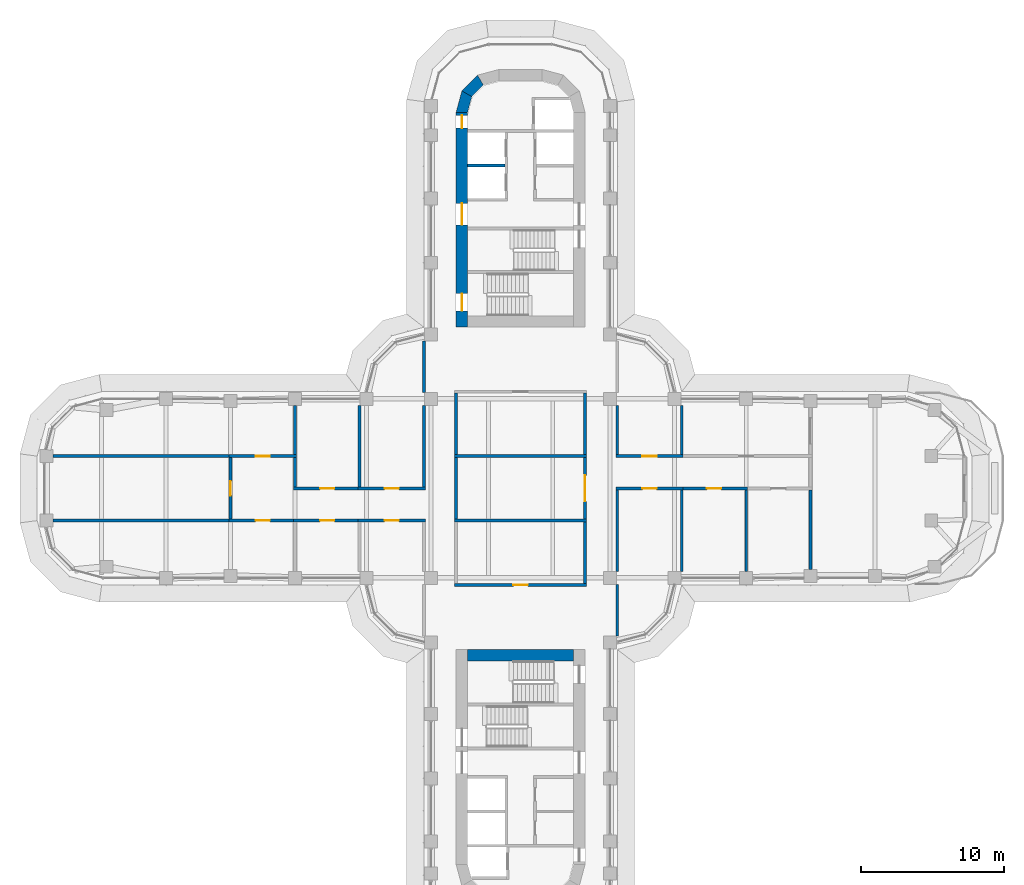
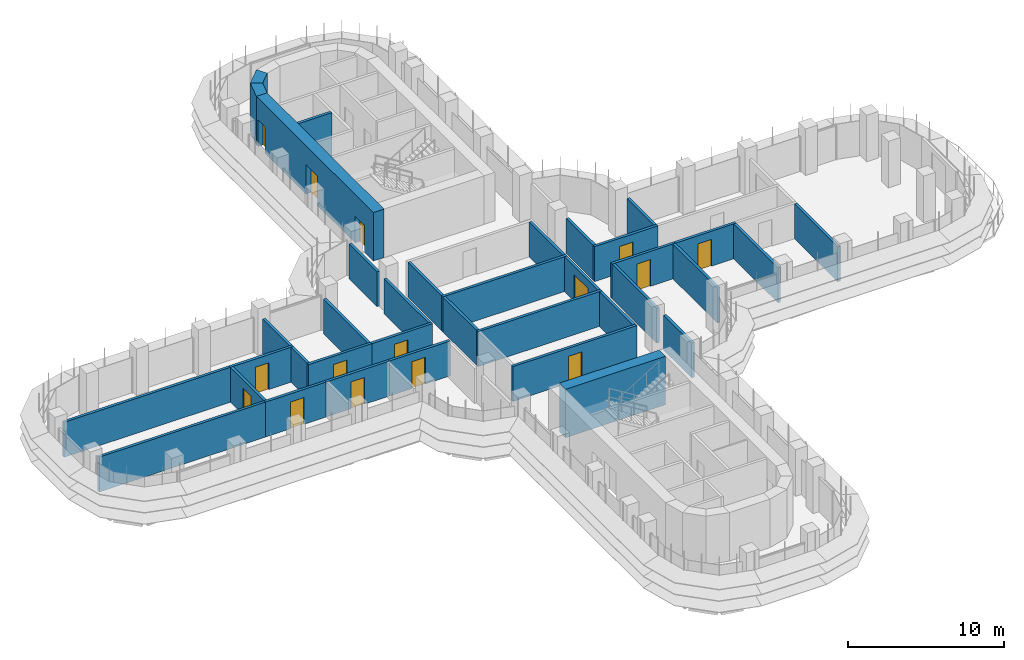
# One storey, part 16 of 22: 37 walls, 15 doors, 15 openings.
"""IFC4 building model written with IfcOpenShell, lengths in metres."""

from ifc_helpers import new_model, si_unit, direction, frame, frame_2d, origin, place, context, subcontext, project, spatial, polyline, rectangle, outline, extrude, material, layer, layer_set, type_object, element, fill, save


model = new_model("IFC4")

# Units and contexts
model_context = context("Model", 3, precision=1e-05, world=origin(), true_north=direction((0.0, 1.0)))
body_context = subcontext(model_context, "Body", "Model", "MODEL_VIEW")
ifc_project = project(units=[si_unit("LENGTHUNIT", "METRE"), si_unit("AREAUNIT", "SQUARE_METRE"), si_unit("VOLUMEUNIT", "CUBIC_METRE"), si_unit("PLANEANGLEUNIT", "RADIAN"), si_unit("MASSUNIT", "GRAM", prefix="KILO")], contexts=[model_context])

# Site, building, storey
site_placement = place(None, origin())
site = spatial("IfcSite", under=ifc_project, at=site_placement, CompositionType="ELEMENT")
building_placement = place(site_placement, origin())
building = spatial("IfcBuilding", under=site, at=building_placement, Name="Zarbagh Exchange Tower", CompositionType="ELEMENT")
storey_placement = place(building_placement, frame((0.0, 0.0, 124.60009765625)))
storey = spatial("IfcBuildingStorey", under=building, at=storey_placement, Name="L29", CompositionType="ELEMENT", Elevation=124.60009765625)

# Walls
ifc_material_1 = material(Name="Fire-rated plasterboard partition")
ifc_layer_1 = layer(ifc_material_1, 0.199951171875)
ifc_layer_set_1 = layer_set([ifc_layer_1], Name="RATED PARTITION 200")
wall_type_1 = type_object("IfcWallType", Name="RATED PARTITION 200", PredefinedType="PARTITIONING", material=ifc_layer_set_1)
for number, where, z_axis, x_axis, name in (
    (1, (-4.5, 2.35009765625, 0.0), (0.0, 0.0, 1.0), (0.0, 1.0, 0.0), "Partition W-1101"),
    (2, (-4.5, -2.14990234375, 0.0), (0.0, 0.0, 1.0), (0.0, 1.0, 0.0), "Partition W-1102"),
):
    element("IfcWall", number, at=place(storey_placement, frame(where, z_axis=z_axis, x_axis=x_axis)), inside=storey, type_object=wall_type_1, Name=name, PredefinedType="PARTITIONING", context=body_context, shape_type="SweptSolid", body=[
        extrude(rectangle(XDim=4.2998046875, YDim=0.199951171875, at=frame_2d((2.14990234375, 0.0))), origin(), (0.0, 0.0, 1.0), 2.738037109375),
    ])
wall_1_placement = place(storey_placement, frame((-6.75, 0.10009765625, 0.0), z_axis=(0.0, 0.0, 1.0), x_axis=(0.0, 1.0, 0.0)))
element("IfcWall", 3, at=wall_1_placement, inside=storey, type_object=wall_type_1, Name="Partition W-1104", PredefinedType="PARTITIONING", context=body_context, shape_type="SweptSolid", body=[
    extrude(rectangle(XDim=5.699951171875, YDim=0.199951171875, at=frame_2d((2.85009765625, 0.0))), origin(), (0.0, 0.0, 1.0), 2.738037109375),
])
wall_2_placement = place(storey_placement, frame((-6.75, 6.699951171875, 0.0), z_axis=(0.0, 0.0, 1.0), x_axis=(0.0, 1.0, 0.0)))
element("IfcWall", 4, at=wall_2_placement, inside=storey, type_object=wall_type_1, Name="Partition W-1105", PredefinedType="PARTITIONING", context=body_context, shape_type="SweptSolid", body=[
    extrude(rectangle(XDim=3.60009765625, YDim=0.199951171875, at=frame_2d((1.800048828125, 0.0))), origin(), (0.0, 0.0, 1.0), 2.738037109375),
])
wall_3_placement = place(storey_placement, frame((4.5, 2.35009765625, 0.0), z_axis=(0.0, 0.0, 1.0), x_axis=(0.0, 1.0, 0.0)))
element("IfcWall", 5, at=wall_3_placement, inside=storey, type_object=wall_type_1, Name="Partition W-1108", PredefinedType="PARTITIONING", context=body_context, shape_type="SweptSolid", body=[
    extrude(rectangle(XDim=4.2998046875, YDim=0.199951171875, at=frame_2d((2.14990234375, 0.0))), origin(), (0.0, 0.0, 1.0), 2.738037109375),
])

# Wall, opening, door
wall_4_placement = place(storey_placement, frame((4.5, -2.14990234375, 0.0), z_axis=(0.0, 0.0, 1.0), x_axis=(0.0, 1.0, 0.0)))
wall_4 = element("IfcWall", 6, at=wall_4_placement, inside=storey, type_object=wall_type_1, Name="Partition W-1109", PredefinedType="PARTITIONING", context=body_context, shape_type="SweptSolid", body=[
    extrude(rectangle(XDim=4.2998046875, YDim=0.199951171875, at=frame_2d((2.14990234375, 0.0))), origin(), (0.0, 0.0, 1.0), 2.738037109375),
])
opening_1_placement = place(wall_4_placement, frame((1.25, 0.0, 0.0)))
opening_1 = element("IfcOpeningElement", 7, at=opening_1_placement, cuts=wall_4, Name="Opening D-1101", PredefinedType="OPENING", context=body_context, shape_type="SweptSolid", body=[
    extrude(rectangle(XDim=1.800048828125, YDim=2.10009765625, at=frame_2d((0.89990234375, 1.050048828125))), frame((0.0, 0.10986328125, 0.0), z_axis=(0.0, -1.0, 0.0), x_axis=(1.0, 0.0, 0.0)), (0.0, 0.0, 1.0), 0.219970703125),
])
ifc_material_2 = material(Name="Steel door set", Category="steel")
door_type_1 = type_object("IfcDoorType", Name="FIRE DOUBLE DOOR 1800 X 2100 FD30S", OperationType="DOUBLE_DOOR_SINGLE_SWING", PredefinedType="DOOR", material=ifc_material_2)
door_1_placement = place(opening_1_placement, origin())
door_1 = element("IfcDoor", 8, at=door_1_placement, inside=storey, type_object=door_type_1, Name="Door D-1101", OperationType="DOUBLE_DOOR_SINGLE_SWING", OverallHeight=2.10009765625, OverallWidth=1.800048828125, PredefinedType="DOOR", context=body_context, shape_type="SweptSolid", body=[
    extrude(rectangle(XDim=1.800048828125, YDim=2.10009765625, at=frame_2d((0.89990234375, 1.050048828125))), frame((0.0, 0.02490234375, 0.0), z_axis=(0.0, -1.0, 0.0), x_axis=(1.0, 0.0, 0.0)), (0.0, 0.0, 1.0), 0.050048828125),
])
fill(opening_1, door_1)

# Walls
wall_5_placement = place(storey_placement, frame((4.5, -6.64990234375, 0.0), z_axis=(0.0, 0.0, 1.0), x_axis=(0.0, 1.0, 0.0)))
element("IfcWall", 9, at=wall_5_placement, inside=storey, type_object=wall_type_1, Name="Partition W-1110", PredefinedType="PARTITIONING", context=body_context, shape_type="SweptSolid", body=[
    extrude(rectangle(XDim=4.2998046875, YDim=0.199951171875, at=frame_2d((2.14990234375, 0.0))), origin(), (0.0, 0.0, 1.0), 2.738037109375),
])
wall_6_placement = place(storey_placement, frame((6.75, 2.35009765625, 0.0), z_axis=(0.0, 0.0, 1.0), x_axis=(0.0, 1.0, 0.0)))
element("IfcWall", 10, at=wall_6_placement, inside=storey, type_object=wall_type_1, Name="Partition W-1111", PredefinedType="PARTITIONING", context=body_context, shape_type="SweptSolid", body=[
    extrude(rectangle(XDim=3.449951171875, YDim=0.199951171875, at=frame_2d((1.72509765625, 0.0))), origin(), (0.0, 0.0, 1.0), 2.738037109375),
])
wall_7_placement = place(storey_placement, frame((6.75, -10.300048828125, 0.0), z_axis=(0.0, 0.0, 1.0), x_axis=(0.0, 1.0, 0.0)))
element("IfcWall", 11, at=wall_7_placement, inside=storey, type_object=wall_type_1, Name="Partition W-1113", PredefinedType="PARTITIONING", context=body_context, shape_type="SweptSolid", body=[
    extrude(rectangle(XDim=3.60009765625, YDim=0.199951171875, at=frame_2d((1.800048828125, 0.0))), origin(), (0.0, 0.0, 1.0), 2.738037109375),
])
wall_8_placement = place(storey_placement, frame((6.75, -5.800048828125, 0.0), z_axis=(0.0, 0.0, 1.0), x_axis=(0.0, 1.0, 0.0)))
element("IfcWall", 12, at=wall_8_placement, inside=storey, type_object=wall_type_1, Name="Partition W-1114", PredefinedType="PARTITIONING", context=body_context, shape_type="SweptSolid", body=[
    extrude(rectangle(XDim=5.699951171875, YDim=0.199951171875, at=frame_2d((2.85009765625, 0.0))), origin(), (0.0, 0.0, 1.0), 2.738037109375),
])

# Wall, opening, door
wall_9_placement = place(storey_placement, frame((-4.60009765625, -6.75, 0.0), z_axis=(0.0, 0.0, 1.0), x_axis=(1.0, 0.0, 0.0)))
wall_9 = element("IfcWall", 13, at=wall_9_placement, inside=storey, type_object=wall_type_1, Name="Partition W-1116", PredefinedType="PARTITIONING", context=body_context, shape_type="SweptSolid", body=[
    extrude(rectangle(XDim=9.2001953125, YDim=0.199951171875, at=frame_2d((4.60009765625, 0.0))), origin(), (0.0, 0.0, 1.0), 2.738037109375),
])
opening_2_placement = place(wall_9_placement, frame((4.10009765625, 0.0, 0.0)))
opening_2 = element("IfcOpeningElement", 14, at=opening_2_placement, cuts=wall_9, Name="Opening D-1103", PredefinedType="OPENING", context=body_context, shape_type="SweptSolid", body=[
    extrude(rectangle(XDim=1.0, YDim=2.10009765625, at=frame_2d((0.5, 1.050048828125))), frame((0.0, 0.10986328125, 0.0), z_axis=(0.0, -1.0, 0.0), x_axis=(1.0, 0.0, 0.0)), (0.0, 0.0, 1.0), 0.219970703125),
])
door_type_2 = type_object("IfcDoorType", Name="FIRE DOOR 1000 X 2100 FD30S", OperationType="NOTDEFINED", PredefinedType="DOOR", material=ifc_material_2)
door_2_placement = place(opening_2_placement, origin())
door_2 = element("IfcDoor", 15, at=door_2_placement, inside=storey, type_object=door_type_2, Name="Door D-1103", OperationType="SINGLE_SWING_RIGHT", OverallHeight=2.10009765625, OverallWidth=1.0, PredefinedType="DOOR", context=body_context, shape_type="SweptSolid", body=[
    extrude(rectangle(XDim=1.0, YDim=2.10009765625, at=frame_2d((0.5, 1.050048828125))), frame((0.0, 0.02490234375, 0.0), z_axis=(0.0, -1.0, 0.0), x_axis=(1.0, 0.0, 0.0)), (0.0, 0.0, 1.0), 0.050048828125),
])
fill(opening_2, door_2)

# Walls
for number, where, z_axis, x_axis, name in (
    (16, (-4.60009765625, 2.25, 0.0), (0.0, 0.0, 1.0), (1.0, 0.0, 0.0), "Partition W-1117"),
    (17, (-4.60009765625, -2.25, 0.0), (0.0, 0.0, 1.0), (1.0, 0.0, 0.0), "Partition W-1118"),
):
    element("IfcWall", number, at=place(storey_placement, frame(where, z_axis=z_axis, x_axis=x_axis)), inside=storey, type_object=wall_type_1, Name=name, PredefinedType="PARTITIONING", context=body_context, shape_type="SweptSolid", body=[
        extrude(rectangle(XDim=9.2001953125, YDim=0.199951171875, at=frame_2d((4.60009765625, 0.0))), origin(), (0.0, 0.0, 1.0), 2.738037109375),
    ])

# Wall, opening, door
wall_10_placement = place(storey_placement, frame((6.64990234375, 2.25, 0.0), z_axis=(0.0, 0.0, 1.0), x_axis=(1.0, 0.0, 0.0)))
wall_10 = element("IfcWall", 18, at=wall_10_placement, inside=storey, type_object=wall_type_1, Name="Partition W-1119", PredefinedType="PARTITIONING", context=body_context, shape_type="SweptSolid", body=[
    extrude(rectangle(XDim=4.7001953125, YDim=0.199951171875, at=frame_2d((2.35009765625, 0.0))), origin(), (0.0, 0.0, 1.0), 2.738037109375),
])
opening_3_placement = place(wall_10_placement, frame((1.85009765625, 0.0, 0.0)))
opening_3 = element("IfcOpeningElement", 19, at=opening_3_placement, cuts=wall_10, Name="Opening D-1105", PredefinedType="OPENING", context=body_context, shape_type="SweptSolid", body=[
    extrude(rectangle(XDim=1.0, YDim=2.10009765625, at=frame_2d((0.5, 1.050048828125))), frame((0.0, 0.10986328125, 0.0), z_axis=(0.0, -1.0, 0.0), x_axis=(1.0, 0.0, 0.0)), (0.0, 0.0, 1.0), 0.219970703125),
])
door_3_placement = place(opening_3_placement, origin())
door_3 = element("IfcDoor", 20, at=door_3_placement, inside=storey, type_object=door_type_2, Name="Door D-1105", OperationType="SINGLE_SWING_RIGHT", OverallHeight=2.10009765625, OverallWidth=1.0, PredefinedType="DOOR", context=body_context, shape_type="SweptSolid", body=[
    extrude(rectangle(XDim=1.0, YDim=2.10009765625, at=frame_2d((0.5, 1.050048828125))), frame((0.0, 0.02490234375, 0.0), z_axis=(0.0, -1.0, 0.0), x_axis=(1.0, 0.0, 0.0)), (0.0, 0.0, 1.0), 0.050048828125),
])
fill(opening_3, door_3)

wall_11_placement = place(storey_placement, frame((11.35009765625, 0.0, 0.0), z_axis=(0.0, 0.0, 1.0), x_axis=(-1.0, 0.0, 0.0)))
wall_11 = element("IfcWall", 21, at=wall_11_placement, inside=storey, type_object=wall_type_1, Name="Partition W-1120", PredefinedType="PARTITIONING", context=body_context, shape_type="SweptSolid", body=[
    extrude(rectangle(XDim=4.7001953125, YDim=0.199951171875, at=frame_2d((2.35009765625, 0.0))), origin(), (0.0, 0.0, 1.0), 2.738037109375),
])
opening_4_placement = place(wall_11_placement, frame((1.85009765625, 0.0, 0.0)))
opening_4 = element("IfcOpeningElement", 22, at=opening_4_placement, cuts=wall_11, Name="Opening D-1107", PredefinedType="OPENING", context=body_context, shape_type="SweptSolid", body=[
    extrude(rectangle(XDim=1.0, YDim=2.10009765625, at=frame_2d((0.5, 1.050048828125))), frame((0.0, 0.10986328125, 0.0), z_axis=(0.0, -1.0, 0.0), x_axis=(1.0, 0.0, 0.0)), (0.0, 0.0, 1.0), 0.219970703125),
])
door_4_placement = place(opening_4_placement, origin())
door_4 = element("IfcDoor", 23, at=door_4_placement, inside=storey, type_object=door_type_2, Name="Door D-1107", OperationType="SINGLE_SWING_RIGHT", OverallHeight=2.10009765625, OverallWidth=1.0, PredefinedType="DOOR", context=body_context, shape_type="SweptSolid", body=[
    extrude(rectangle(XDim=1.0, YDim=2.10009765625, at=frame_2d((0.5, 1.050048828125))), frame((0.0, 0.02490234375, 0.0), z_axis=(0.0, -1.0, 0.0), x_axis=(1.0, 0.0, 0.0)), (0.0, 0.0, 1.0), 0.050048828125),
])
fill(opening_4, door_4)

wall_12_placement = place(storey_placement, frame((15.85009765625, 0.0, 0.0), z_axis=(0.0, 0.0, 1.0), x_axis=(-1.0, 0.0, 0.0)))
wall_12 = element("IfcWall", 24, at=wall_12_placement, inside=storey, type_object=wall_type_1, Name="Partition W-1122", PredefinedType="PARTITIONING", context=body_context, shape_type="SweptSolid", body=[
    extrude(rectangle(XDim=4.7001953125, YDim=0.199951171875, at=frame_2d((2.35009765625, 0.0))), origin(), (0.0, 0.0, 1.0), 2.738037109375),
])
opening_5_placement = place(wall_12_placement, frame((1.85009765625, 0.0, 0.0)))
opening_5 = element("IfcOpeningElement", 25, at=opening_5_placement, cuts=wall_12, Name="Opening D-1108", PredefinedType="OPENING", context=body_context, shape_type="SweptSolid", body=[
    extrude(rectangle(XDim=1.0, YDim=2.10009765625, at=frame_2d((0.5, 1.050048828125))), frame((0.0, 0.10986328125, 0.0), z_axis=(0.0, -1.0, 0.0), x_axis=(1.0, 0.0, 0.0)), (0.0, 0.0, 1.0), 0.219970703125),
])
door_5_placement = place(opening_5_placement, origin())
door_5 = element("IfcDoor", 26, at=door_5_placement, inside=storey, type_object=door_type_2, Name="Door D-1108", OperationType="SINGLE_SWING_RIGHT", OverallHeight=2.10009765625, OverallWidth=1.0, PredefinedType="DOOR", context=body_context, shape_type="SweptSolid", body=[
    extrude(rectangle(XDim=1.0, YDim=2.10009765625, at=frame_2d((0.5, 1.050048828125))), frame((0.0, 0.02490234375, 0.0), z_axis=(0.0, -1.0, 0.0), x_axis=(1.0, 0.0, 0.0)), (0.0, 0.0, 1.0), 0.050048828125),
])
fill(opening_5, door_5)

# Walls
wall_13_placement = place(storey_placement, frame((11.25, 2.35009765625, 0.0), z_axis=(0.0, 0.0, 1.0), x_axis=(0.0, 1.0, 0.0)))
element("IfcWall", 27, at=wall_13_placement, inside=storey, type_object=wall_type_1, Name="Partition W-1125", PredefinedType="PARTITIONING", context=body_context, shape_type="SweptSolid", body=[
    extrude(rectangle(XDim=3.449951171875, YDim=0.199951171875, at=frame_2d((1.72509765625, 0.0))), origin(), (0.0, 0.0, 1.0), 2.738037109375),
])
for number, where, z_axis, x_axis, name in (
    (28, (11.25, -5.800048828125, 0.0), (0.0, 0.0, 1.0), (0.0, 1.0, 0.0), "Partition W-1126"),
    (29, (15.75, -5.800048828125, 0.0), (0.0, 0.0, 1.0), (0.0, 1.0, 0.0), "Partition W-1128"),
):
    element("IfcWall", number, at=place(storey_placement, frame(where, z_axis=z_axis, x_axis=x_axis)), inside=storey, type_object=wall_type_1, Name=name, PredefinedType="PARTITIONING", context=body_context, shape_type="SweptSolid", body=[
        extrude(rectangle(XDim=5.699951171875, YDim=0.199951171875, at=frame_2d((2.85009765625, 0.0))), origin(), (0.0, 0.0, 1.0), 2.738037109375),
    ])
wall_14_placement = place(storey_placement, frame((20.25, -5.659912109375, 0.0), z_axis=(0.0, 0.0, 1.0), x_axis=(0.0, 1.0, 0.0)))
element("IfcWall", 30, at=wall_14_placement, inside=storey, type_object=wall_type_1, Name="Partition W-1129", PredefinedType="PARTITIONING", context=body_context, shape_type="SweptSolid", body=[
    extrude(rectangle(XDim=5.559814453125, YDim=0.199951171875, at=frame_2d((2.77978515625, 0.0))), origin(), (0.0, 0.0, 1.0), 2.738037109375),
])

# Wall, opening, door
wall_15_placement = place(storey_placement, frame((-11.35009765625, 0.0, 0.0), z_axis=(0.0, 0.0, 1.0), x_axis=(1.0, 0.0, 0.0)))
wall_15 = element("IfcWall", 31, at=wall_15_placement, inside=storey, type_object=wall_type_1, Name="Partition W-1130", PredefinedType="PARTITIONING", context=body_context, shape_type="SweptSolid", body=[
    extrude(rectangle(XDim=4.7001953125, YDim=0.199951171875, at=frame_2d((2.35009765625, 0.0))), origin(), (0.0, 0.0, 1.0), 2.738037109375),
])
opening_6_placement = place(wall_15_placement, frame((1.85009765625, 0.0, 0.0)))
opening_6 = element("IfcOpeningElement", 32, at=opening_6_placement, cuts=wall_15, Name="Opening D-1112", PredefinedType="OPENING", context=body_context, shape_type="SweptSolid", body=[
    extrude(rectangle(XDim=1.0, YDim=2.10009765625, at=frame_2d((0.5, 1.050048828125))), frame((0.0, 0.10986328125, 0.0), z_axis=(0.0, -1.0, 0.0), x_axis=(1.0, 0.0, 0.0)), (0.0, 0.0, 1.0), 0.219970703125),
])
door_6_placement = place(opening_6_placement, origin())
door_6 = element("IfcDoor", 33, at=door_6_placement, inside=storey, type_object=door_type_2, Name="Door D-1112", OperationType="SINGLE_SWING_RIGHT", OverallHeight=2.10009765625, OverallWidth=1.0, PredefinedType="DOOR", context=body_context, shape_type="SweptSolid", body=[
    extrude(rectangle(XDim=1.0, YDim=2.10009765625, at=frame_2d((0.5, 1.050048828125))), frame((0.0, 0.02490234375, 0.0), z_axis=(0.0, -1.0, 0.0), x_axis=(1.0, 0.0, 0.0)), (0.0, 0.0, 1.0), 0.050048828125),
])
fill(opening_6, door_6)

wall_16_placement = place(storey_placement, frame((-6.64990234375, -2.25, 0.0), z_axis=(0.0, 0.0, 1.0), x_axis=(-1.0, 0.0, 0.0)))
wall_16 = element("IfcWall", 34, at=wall_16_placement, inside=storey, type_object=wall_type_1, Name="Partition W-1131", PredefinedType="PARTITIONING", context=body_context, shape_type="SweptSolid", body=[
    extrude(rectangle(XDim=4.7001953125, YDim=0.199951171875, at=frame_2d((2.35009765625, 0.0))), origin(), (0.0, 0.0, 1.0), 2.738037109375),
])
opening_7_placement = place(wall_16_placement, frame((1.85009765625, 0.0, 0.0)))
opening_7 = element("IfcOpeningElement", 35, at=opening_7_placement, cuts=wall_16, Name="Opening D-1115", PredefinedType="OPENING", context=body_context, shape_type="SweptSolid", body=[
    extrude(rectangle(XDim=1.0, YDim=2.10009765625, at=frame_2d((0.5, 1.050048828125))), frame((0.0, 0.10986328125, 0.0), z_axis=(0.0, -1.0, 0.0), x_axis=(1.0, 0.0, 0.0)), (0.0, 0.0, 1.0), 0.219970703125),
])
door_7_placement = place(opening_7_placement, origin())
door_7 = element("IfcDoor", 36, at=door_7_placement, inside=storey, type_object=door_type_2, Name="Door D-1115", OperationType="SINGLE_SWING_RIGHT", OverallHeight=2.10009765625, OverallWidth=1.0, PredefinedType="DOOR", context=body_context, shape_type="SweptSolid", body=[
    extrude(rectangle(XDim=1.0, YDim=2.10009765625, at=frame_2d((0.5, 1.050048828125))), frame((0.0, 0.02490234375, 0.0), z_axis=(0.0, -1.0, 0.0), x_axis=(1.0, 0.0, 0.0)), (0.0, 0.0, 1.0), 0.050048828125),
])
fill(opening_7, door_7)

wall_17_placement = place(storey_placement, frame((-15.85009765625, 0.0, 0.0), z_axis=(0.0, 0.0, 1.0), x_axis=(1.0, 0.0, 0.0)))
wall_17 = element("IfcWall", 37, at=wall_17_placement, inside=storey, type_object=wall_type_1, Name="Partition W-1132", PredefinedType="PARTITIONING", context=body_context, shape_type="SweptSolid", body=[
    extrude(rectangle(XDim=4.7001953125, YDim=0.199951171875, at=frame_2d((2.35009765625, 0.0))), origin(), (0.0, 0.0, 1.0), 2.738037109375),
])
opening_8_placement = place(wall_17_placement, frame((1.85009765625, 0.0, 0.0)))
opening_8 = element("IfcOpeningElement", 38, at=opening_8_placement, cuts=wall_17, Name="Opening D-1113", PredefinedType="OPENING", context=body_context, shape_type="SweptSolid", body=[
    extrude(rectangle(XDim=1.0, YDim=2.10009765625, at=frame_2d((0.5, 1.050048828125))), frame((0.0, 0.10986328125, 0.0), z_axis=(0.0, -1.0, 0.0), x_axis=(1.0, 0.0, 0.0)), (0.0, 0.0, 1.0), 0.219970703125),
])
door_8_placement = place(opening_8_placement, origin())
door_8 = element("IfcDoor", 39, at=door_8_placement, inside=storey, type_object=door_type_2, Name="Door D-1113", OperationType="SINGLE_SWING_RIGHT", OverallHeight=2.10009765625, OverallWidth=1.0, PredefinedType="DOOR", context=body_context, shape_type="SweptSolid", body=[
    extrude(rectangle(XDim=1.0, YDim=2.10009765625, at=frame_2d((0.5, 1.050048828125))), frame((0.0, 0.02490234375, 0.0), z_axis=(0.0, -1.0, 0.0), x_axis=(1.0, 0.0, 0.0)), (0.0, 0.0, 1.0), 0.050048828125),
])
fill(opening_8, door_8)

wall_18_placement = place(storey_placement, frame((-11.14990234375, -2.25, 0.0), z_axis=(0.0, 0.0, 1.0), x_axis=(-1.0, 0.0, 0.0)))
wall_18 = element("IfcWall", 40, at=wall_18_placement, inside=storey, type_object=wall_type_1, Name="Partition W-1133", PredefinedType="PARTITIONING", context=body_context, shape_type="SweptSolid", body=[
    extrude(rectangle(XDim=4.7001953125, YDim=0.199951171875, at=frame_2d((2.35009765625, 0.0))), origin(), (0.0, 0.0, 1.0), 2.738037109375),
])
opening_9_placement = place(wall_18_placement, frame((1.85009765625, 0.0, 0.0)))
opening_9 = element("IfcOpeningElement", 41, at=opening_9_placement, cuts=wall_18, Name="Opening D-1116", PredefinedType="OPENING", context=body_context, shape_type="SweptSolid", body=[
    extrude(rectangle(XDim=1.0, YDim=2.10009765625, at=frame_2d((0.5, 1.050048828125))), frame((0.0, 0.10986328125, 0.0), z_axis=(0.0, -1.0, 0.0), x_axis=(1.0, 0.0, 0.0)), (0.0, 0.0, 1.0), 0.219970703125),
])
door_9_placement = place(opening_9_placement, origin())
door_9 = element("IfcDoor", 42, at=door_9_placement, inside=storey, type_object=door_type_2, Name="Door D-1116", OperationType="SINGLE_SWING_RIGHT", OverallHeight=2.10009765625, OverallWidth=1.0, PredefinedType="DOOR", context=body_context, shape_type="SweptSolid", body=[
    extrude(rectangle(XDim=1.0, YDim=2.10009765625, at=frame_2d((0.5, 1.050048828125))), frame((0.0, 0.02490234375, 0.0), z_axis=(0.0, -1.0, 0.0), x_axis=(1.0, 0.0, 0.0)), (0.0, 0.0, 1.0), 0.050048828125),
])
fill(opening_9, door_9)

# Walls
wall_19_placement = place(storey_placement, frame((-11.25, 0.10009765625, 0.0), z_axis=(0.0, 0.0, 1.0), x_axis=(0.0, 1.0, 0.0)))
element("IfcWall", 43, at=wall_19_placement, inside=storey, type_object=wall_type_1, Name="Partition W-1134", PredefinedType="PARTITIONING", context=body_context, shape_type="SweptSolid", body=[
    extrude(rectangle(XDim=5.699951171875, YDim=0.199951171875, at=frame_2d((2.85009765625, 0.0))), origin(), (0.0, 0.0, 1.0), 2.738037109375),
])
wall_20_placement = place(storey_placement, frame((-15.75, 0.10009765625, 0.0), z_axis=(0.0, 0.0, 1.0), x_axis=(0.0, 1.0, 0.0)))
element("IfcWall", 44, at=wall_20_placement, inside=storey, type_object=wall_type_1, Name="Partition W-1136", PredefinedType="PARTITIONING", context=body_context, shape_type="SweptSolid", body=[
    extrude(rectangle(XDim=2.0498046875, YDim=0.199951171875, at=frame_2d((1.02490234375, 0.0))), origin(), (0.0, 0.0, 1.0), 2.738037109375),
])
wall_21_placement = place(storey_placement, frame((-15.75, 2.35009765625, 0.0), z_axis=(0.0, 0.0, 1.0), x_axis=(0.0, 1.0, 0.0)))
element("IfcWall", 45, at=wall_21_placement, inside=storey, type_object=wall_type_1, Name="Partition W-1137", PredefinedType="PARTITIONING", context=body_context, shape_type="SweptSolid", body=[
    extrude(rectangle(XDim=3.449951171875, YDim=0.199951171875, at=frame_2d((1.72509765625, 0.0))), origin(), (0.0, 0.0, 1.0), 2.738037109375),
])

# Wall, opening, door
wall_22_placement = place(storey_placement, frame((-20.35009765625, 2.25, 0.0), z_axis=(0.0, 0.0, 1.0), x_axis=(1.0, 0.0, 0.0)))
wall_22 = element("IfcWall", 46, at=wall_22_placement, inside=storey, type_object=wall_type_1, Name="Partition W-1139", PredefinedType="PARTITIONING", context=body_context, shape_type="SweptSolid", body=[
    extrude(rectangle(XDim=4.7001953125, YDim=0.199951171875, at=frame_2d((2.35009765625, 0.0))), origin(), (0.0, 0.0, 1.0), 2.738037109375),
])
opening_10_placement = place(wall_22_placement, frame((1.85009765625, 0.0, 0.0)))
opening_10 = element("IfcOpeningElement", 47, at=opening_10_placement, cuts=wall_22, Name="Opening D-1111", PredefinedType="OPENING", context=body_context, shape_type="SweptSolid", body=[
    extrude(rectangle(XDim=1.0, YDim=2.10009765625, at=frame_2d((0.5, 1.050048828125))), frame((0.0, 0.10986328125, 0.0), z_axis=(0.0, -1.0, 0.0), x_axis=(1.0, 0.0, 0.0)), (0.0, 0.0, 1.0), 0.219970703125),
])
door_10_placement = place(opening_10_placement, origin())
door_10 = element("IfcDoor", 48, at=door_10_placement, inside=storey, type_object=door_type_2, Name="Door D-1111", OperationType="SINGLE_SWING_RIGHT", OverallHeight=2.10009765625, OverallWidth=1.0, PredefinedType="DOOR", context=body_context, shape_type="SweptSolid", body=[
    extrude(rectangle(XDim=1.0, YDim=2.10009765625, at=frame_2d((0.5, 1.050048828125))), frame((0.0, 0.02490234375, 0.0), z_axis=(0.0, -1.0, 0.0), x_axis=(1.0, 0.0, 0.0)), (0.0, 0.0, 1.0), 0.050048828125),
])
fill(opening_10, door_10)

wall_23_placement = place(storey_placement, frame((-15.64990234375, -2.25, 0.0), z_axis=(0.0, 0.0, 1.0), x_axis=(-1.0, 0.0, 0.0)))
wall_23 = element("IfcWall", 49, at=wall_23_placement, inside=storey, type_object=wall_type_1, Name="Partition W-1140", PredefinedType="PARTITIONING", context=body_context, shape_type="SweptSolid", body=[
    extrude(rectangle(XDim=4.7001953125, YDim=0.199951171875, at=frame_2d((2.35009765625, 0.0))), origin(), (0.0, 0.0, 1.0), 2.738037109375),
])
opening_11_placement = place(wall_23_placement, frame((1.85009765625, 0.0, 0.0)))
opening_11 = element("IfcOpeningElement", 50, at=opening_11_placement, cuts=wall_23, Name="Opening D-1114", PredefinedType="OPENING", context=body_context, shape_type="SweptSolid", body=[
    extrude(rectangle(XDim=1.0, YDim=2.10009765625, at=frame_2d((0.5, 1.050048828125))), frame((0.0, 0.10986328125, 0.0), z_axis=(0.0, -1.0, 0.0), x_axis=(1.0, 0.0, 0.0)), (0.0, 0.0, 1.0), 0.219970703125),
])
door_11_placement = place(opening_11_placement, origin())
door_11 = element("IfcDoor", 51, at=door_11_placement, inside=storey, type_object=door_type_2, Name="Door D-1114", OperationType="SINGLE_SWING_LEFT", OverallHeight=2.10009765625, OverallWidth=1.0, PredefinedType="DOOR", context=body_context, shape_type="SweptSolid", body=[
    extrude(rectangle(XDim=1.0, YDim=2.10009765625, at=frame_2d((0.5, 1.050048828125))), frame((0.0, 0.02490234375, 0.0), z_axis=(0.0, -1.0, 0.0), x_axis=(1.0, 0.0, 0.0)), (0.0, 0.0, 1.0), 0.050048828125),
])
fill(opening_11, door_11)

wall_24_placement = place(storey_placement, frame((-20.25, -2.14990234375, 0.0), z_axis=(0.0, 0.0, 1.0), x_axis=(0.0, 1.0, 0.0)))
wall_24 = element("IfcWall", 52, at=wall_24_placement, inside=storey, type_object=wall_type_1, Name="Partition W-1141", PredefinedType="PARTITIONING", context=body_context, shape_type="SweptSolid", body=[
    extrude(rectangle(XDim=4.2998046875, YDim=0.199951171875, at=frame_2d((2.14990234375, 0.0))), origin(), (0.0, 0.0, 1.0), 2.738037109375),
])
opening_12_placement = place(wall_24_placement, frame((1.64990234375, 0.0, 0.0)))
opening_12 = element("IfcOpeningElement", 53, at=opening_12_placement, cuts=wall_24, Name="Opening D-1110", PredefinedType="OPENING", context=body_context, shape_type="SweptSolid", body=[
    extrude(rectangle(XDim=1.0, YDim=2.10009765625, at=frame_2d((0.5, 1.050048828125))), frame((0.0, 0.10986328125, 0.0), z_axis=(0.0, -1.0, 0.0), x_axis=(1.0, 0.0, 0.0)), (0.0, 0.0, 1.0), 0.219970703125),
])
door_12_placement = place(opening_12_placement, origin())
door_12 = element("IfcDoor", 54, at=door_12_placement, inside=storey, type_object=door_type_2, Name="Door D-1110", OperationType="SINGLE_SWING_RIGHT", OverallHeight=2.10009765625, OverallWidth=1.0, PredefinedType="DOOR", context=body_context, shape_type="SweptSolid", body=[
    extrude(rectangle(XDim=1.0, YDim=2.10009765625, at=frame_2d((0.5, 1.050048828125))), frame((0.0, 0.02490234375, 0.0), z_axis=(0.0, -1.0, 0.0), x_axis=(1.0, 0.0, 0.0)), (0.0, 0.0, 1.0), 0.050048828125),
])
fill(opening_12, door_12)

# Walls
for number, where, z_axis, x_axis, name in (
    (55, (-32.659912109375, 2.25, 0.0), (0.0, 0.0, 1.0), (1.0, 0.0, 0.0), "Partition W-1142"),
    (56, (-32.659912109375, -2.25, 0.0), (0.0, 0.0, 1.0), (1.0, 0.0, 0.0), "Partition W-1143"),
):
    element("IfcWall", number, at=place(storey_placement, frame(where, z_axis=z_axis, x_axis=x_axis)), inside=storey, type_object=wall_type_1, Name=name, PredefinedType="PARTITIONING", context=body_context, shape_type="SweptSolid", body=[
        extrude(rectangle(XDim=12.510009765625, YDim=0.199951171875, at=frame_2d((6.2548828125, 0.0))), origin(), (0.0, 0.0, 1.0), 2.738037109375),
    ])
ifc_material_3 = material(Name="Concrete C60/75", Category="concrete")
ifc_layer_2 = layer(ifc_material_3, 0.800048828125)
ifc_layer_set_2 = layer_set([ifc_layer_2], Name="RC core corner wall 800 C60/75")
wall_type_2 = type_object("IfcWallType", Name="RC core corner wall 800 C60/75", PredefinedType="SHEAR", material=ifc_layer_set_2)
wall_25_placement = place(storey_placement, origin())
element("IfcWall", 57, at=wall_25_placement, inside=storey, type_object=wall_type_2, Name="CW4 core N corner W", PredefinedType="SHEAR", context=body_context, shape_type="SweptSolid", body=[
    extrude(outline(polyline([(-4.5, 26.25), (-4.09814453125, 27.75), (-3.4052734375, 27.35009765625), (-3.699951171875, 26.25), (-4.5, 26.25)])), origin(), (0.0, 0.0, 1.0), 3.7998046875),
])
wall_26_placement = place(storey_placement, origin())
element("IfcWall", 58, at=wall_26_placement, inside=storey, type_object=wall_type_2, Name="CW4 core N corner W", PredefinedType="SHEAR", context=body_context, shape_type="SweptSolid", body=[
    extrude(outline(polyline([(-4.09814453125, 27.75), (-3.0, 28.84814453125), (-2.60009765625, 28.1552734375), (-3.4052734375, 27.35009765625), (-4.09814453125, 27.75)])), origin(), (0.0, 0.0, 1.0), 3.7998046875),
])

# Wall, openings, doors
ifc_layer_3 = layer(ifc_material_3, 0.800048828125)
ifc_layer_set_3 = layer_set([ifc_layer_3], Name="RC core wall 800 C60/75")
wall_type_3 = type_object("IfcWallType", Name="RC core wall 800 C60/75", PredefinedType="SHEAR", material=ifc_layer_set_3)
wall_27_placement = place(storey_placement, frame((-4.10009765625, 11.25, 0.0), z_axis=(0.0, 0.0, 1.0), x_axis=(0.0, 1.0, 0.0)))
wall_27 = element("IfcWall", 59, at=wall_27_placement, inside=storey, type_object=wall_type_3, Name="CW3 core N W", PredefinedType="SHEAR", context=body_context, shape_type="SweptSolid", body=[
    extrude(rectangle(XDim=15.0, YDim=0.800048828125, at=frame_2d((7.5, 0.0))), origin(), (0.0, 0.0, 1.0), 3.7998046875),
])
opening_13_placement = place(wall_27_placement, frame((7.14990234375, 0.0, 0.0)))
opening_13 = element("IfcOpeningElement", 60, at=opening_13_placement, cuts=wall_27, Name="Opening CD1-1500", PredefinedType="OPENING", context=body_context, shape_type="SweptSolid", body=[
    extrude(rectangle(XDim=1.5, YDim=2.300048828125, at=frame_2d((0.75, 1.14990234375))), frame((0.0, 0.409912109375, 0.0), z_axis=(0.0, -1.0, 0.0), x_axis=(1.0, 0.0, 0.0)), (0.0, 0.0, 1.0), 0.820068359375),
])
opening_14_placement = place(wall_27_placement, frame((13.89990234375, 0.0, 0.0)))
opening_14 = element("IfcOpeningElement", 61, at=opening_14_placement, cuts=wall_27, Name="Opening CD2-900", PredefinedType="OPENING", context=body_context, shape_type="SweptSolid", body=[
    extrude(rectangle(XDim=0.89990234375, YDim=2.10009765625, at=frame_2d((0.449951171875, 1.050048828125))), frame((0.0, 0.409912109375, 0.0), z_axis=(0.0, -1.0, 0.0), x_axis=(1.0, 0.0, 0.0)), (0.0, 0.0, 1.0), 0.820068359375),
])
opening_15_placement = place(wall_27_placement, frame((1.14990234375, 0.0, 0.0)))
opening_15 = element("IfcOpeningElement", 62, at=opening_15_placement, cuts=wall_27, Name="Opening SD1-1200", PredefinedType="OPENING", context=body_context, shape_type="SweptSolid", body=[
    extrude(rectangle(XDim=1.199951171875, YDim=2.10009765625, at=frame_2d((0.60009765625, 1.050048828125))), frame((0.0, 0.409912109375, 0.0), z_axis=(0.0, -1.0, 0.0), x_axis=(1.0, 0.0, 0.0)), (0.0, 0.0, 1.0), 0.820068359375),
])
ifc_material_4 = material(Name="Steel", Category="steel")
door_type_3 = type_object("IfcDoorType", Name="Exit stair door 1200 x 2100", OperationType="NOTDEFINED", PredefinedType="DOOR", material=ifc_material_4)
door_13_placement = place(opening_15_placement, origin())
door_13 = element("IfcDoor", 63, at=door_13_placement, inside=storey, type_object=door_type_3, Name="North core stair door ST2", OperationType="SINGLE_SWING_LEFT", OverallHeight=2.10009765625, OverallWidth=1.199951171875, PredefinedType="DOOR", context=body_context, shape_type="SweptSolid", body=[
    extrude(rectangle(XDim=1.199951171875, YDim=2.10009765625, at=frame_2d((0.60009765625, 1.050048828125))), frame((0.0, 0.02490234375, 0.0), z_axis=(0.0, -1.0, 0.0), x_axis=(1.0, 0.0, 0.0)), (0.0, 0.0, 1.0), 0.050048828125),
])
fill(opening_15, door_13)
door_type_4 = type_object("IfcDoorType", Name="Firefighting lobby door 900 x 2100", OperationType="NOTDEFINED", PredefinedType="DOOR", material=ifc_material_4)
door_14_placement = place(opening_14_placement, origin())
door_14 = element("IfcDoor", 64, at=door_14_placement, inside=storey, type_object=door_type_4, Name="North core firefighting lobby door FF-W", OperationType="SINGLE_SWING_RIGHT", OverallHeight=2.10009765625, OverallWidth=0.89990234375, PredefinedType="DOOR", context=body_context, shape_type="SweptSolid", body=[
    extrude(rectangle(XDim=0.89990234375, YDim=2.10009765625, at=frame_2d((0.449951171875, 1.050048828125))), frame((0.0, 0.02490234375, 0.0), z_axis=(0.0, -1.0, 0.0), x_axis=(1.0, 0.0, 0.0)), (0.0, 0.0, 1.0), 0.050048828125),
])
fill(opening_14, door_14)
door_type_5 = type_object("IfcDoorType", Name="Lift lobby double door 1500 x 2300", OperationType="NOTDEFINED", PredefinedType="DOOR", material=ifc_material_4)
door_15_placement = place(opening_13_placement, origin())
door_15 = element("IfcDoor", 65, at=door_15_placement, inside=storey, type_object=door_type_5, Name="North core lift lobby door LOBBY-W", OperationType="DOUBLE_DOOR_SINGLE_SWING", OverallHeight=2.300048828125, OverallWidth=1.5, PredefinedType="DOOR", context=body_context, shape_type="SweptSolid", body=[
    extrude(rectangle(XDim=1.5, YDim=2.300048828125, at=frame_2d((0.75, 1.14990234375))), frame((0.0, 0.02490234375, 0.0), z_axis=(0.0, -1.0, 0.0), x_axis=(1.0, 0.0, 0.0)), (0.0, 0.0, 1.0), 0.050048828125),
])
fill(opening_13, door_15)

# Walls
wall_28_placement = place(storey_placement, frame((-3.699951171875, -11.64990234375, 0.0), z_axis=(0.0, 0.0, 1.0), x_axis=(1.0, 0.0, 0.0)))
element("IfcWall", 66, at=wall_28_placement, inside=storey, type_object=wall_type_3, Name="CW3 core S inner end", PredefinedType="SHEAR", context=body_context, shape_type="SweptSolid", body=[
    extrude(rectangle(XDim=7.39990234375, YDim=0.800048828125, at=frame_2d((3.699951171875, 0.0))), origin(), (0.0, 0.0, 1.0), 3.7998046875),
])
ifc_material_5 = material(Name="Dense blockwork", Category="masonry")
ifc_layer_4 = layer(ifc_material_5, 0.199951171875)
ifc_layer_set_4 = layer_set([ifc_layer_4], Name="Shaft wall 200 mm blockwork")
wall_type_4 = type_object("IfcWallType", Name="Shaft wall 200 mm blockwork", PredefinedType="PARTITIONING", material=ifc_layer_set_4)
wall_29_placement = place(storey_placement, frame((-3.699951171875, 22.550048828125, 0.0), z_axis=(0.0, 0.0, 1.0), x_axis=(1.0, 0.0, 0.0)))
element("IfcWall", 67, at=wall_29_placement, inside=storey, type_object=wall_type_4, Name="North core shaft wall TR-W", PredefinedType="PARTITIONING", context=body_context, shape_type="SweptSolid", body=[
    extrude(rectangle(XDim=2.599853515625, YDim=0.199951171875, at=frame_2d((1.2998046875, 0.0))), origin(), (0.0, 0.0, 1.0), 3.64990234375),
])

save(model, "model.ifc")
